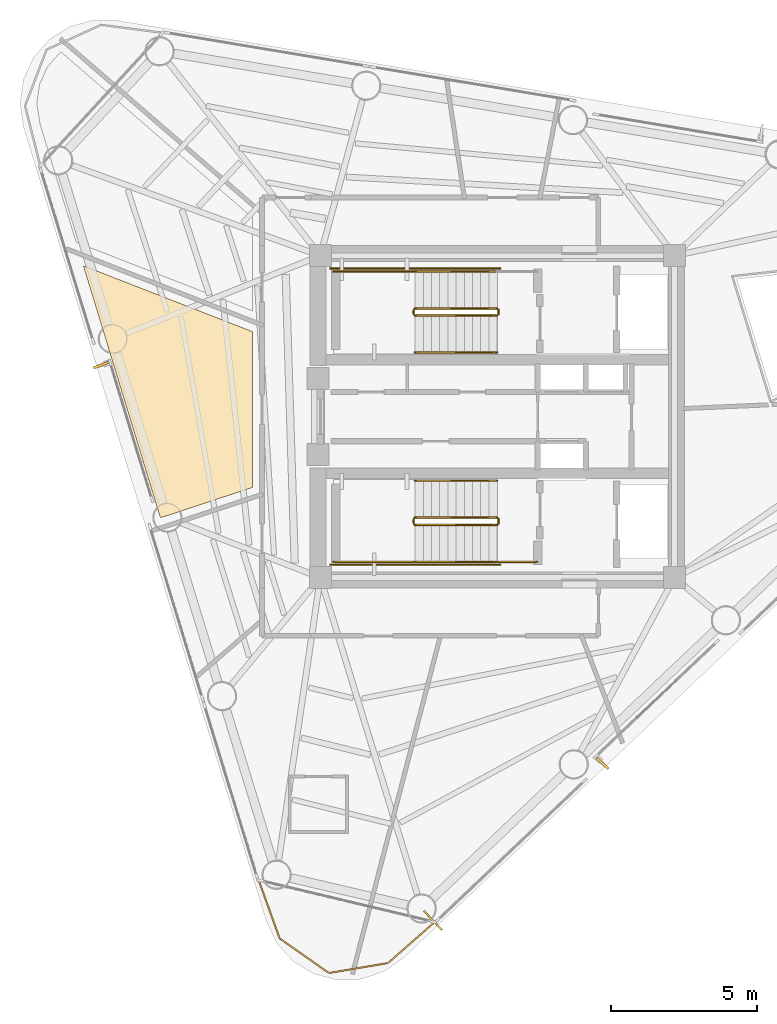
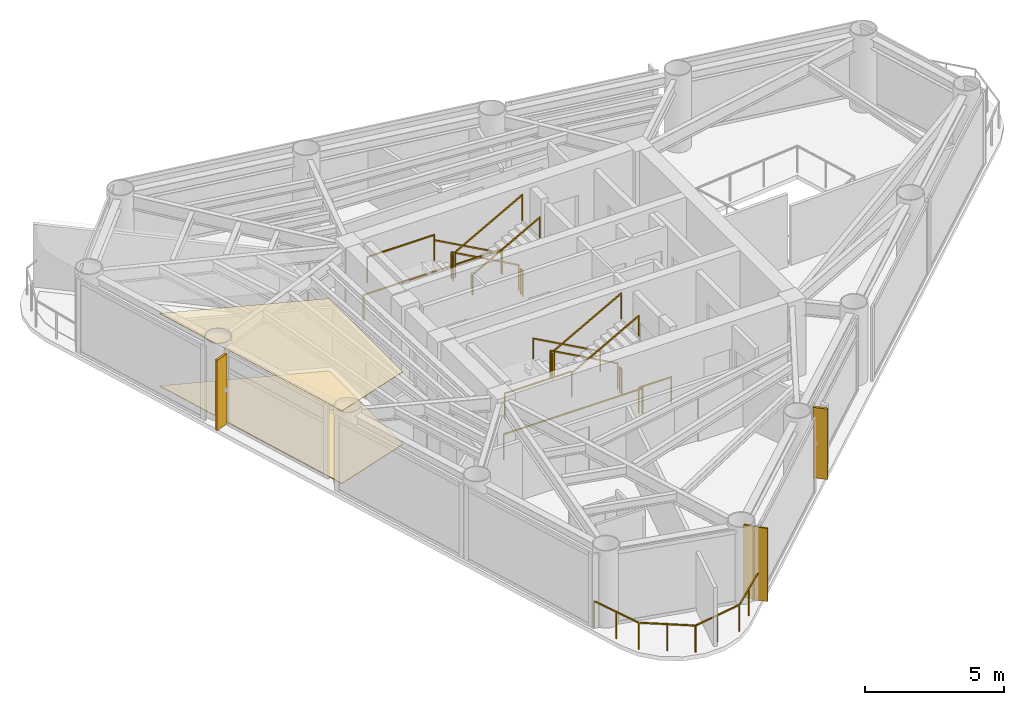
# One storey, part 7 of 8: 18 railings, 3 coverings, 2 shading devices.
"""IFC4 building model written with IfcOpenShell, lengths in metres."""

from ifc_helpers import new_model, si_unit, direction, frame, origin, origin_2d, place, context, subcontext, project, spatial, polyline, rectangle, outline, extrude, source, transform, mapped, material, layer, layer_set, material_profile, profile_set, type_object, element, save


model = new_model("IFC4")

# Units and contexts
model_context = context("Model", 3, precision=1e-05, world=origin(), true_north=direction((0.0, 1.0)))
body_context = subcontext(model_context, "Body", "Model", "MODEL_VIEW")
ifc_project = project(units=[si_unit("LENGTHUNIT", "METRE"), si_unit("AREAUNIT", "SQUARE_METRE"), si_unit("VOLUMEUNIT", "CUBIC_METRE"), si_unit("PLANEANGLEUNIT", "RADIAN"), si_unit("MASSUNIT", "GRAM", prefix="KILO")], contexts=[model_context])

# Site, building, storey
site_placement = place(None, origin())
site = spatial("IfcSite", under=ifc_project, at=site_placement, CompositionType="ELEMENT")
building_placement = place(site_placement, origin())
building = spatial("IfcBuilding", under=site, at=building_placement, Name="Yunling Apex Tower", CompositionType="ELEMENT")
storey_placement = place(building_placement, frame((0.0, 0.0, 238.85009765625)))
storey = spatial("IfcBuildingStorey", under=building, at=storey_placement, Name="L58", CompositionType="ELEMENT", Elevation=238.85009765625)

# Coverings
ifc_material_1 = material(Name="Acoustic mineral fibre ceiling")
ifc_layer_1 = layer(ifc_material_1, 0.02490234375)
ifc_layer_set_1 = layer_set([ifc_layer_1], Name="Acoustic mineral fibre ceiling")
covering_type_1 = type_object("IfcCoveringType", Name="CV-CLG-1", PredefinedType="CEILING", material=ifc_layer_set_1)
covering_1_placement = place(storey_placement, frame((0.0, 0.0, 3.19482421875)))
element("IfcCovering", 1, at=covering_1_placement, inside=storey, type_object=covering_type_1, Name="CV-CL-SP-L58-AMN9", PredefinedType="CEILING", context=body_context, shape_type="SweptSolid", body=[
    extrude(outline(polyline([(-11.51318359375, -3.456787109375), (-14.14697265625, 5.157470703125), (-8.3701171875, 2.90673828125), (-8.3701171875, -2.418212890625), (-11.51318359375, -3.456787109375)])), origin(), (0.0, 0.0, 1.0), 0.025146484375),
])
ifc_material_2 = material(Name="Polished granite stone", Category="masonry")
ifc_layer_2 = layer(ifc_material_2, 0.030029296875)
ifc_layer_set_2 = layer_set([ifc_layer_2], Name="Polished granite stone")
covering_type_2 = type_object("IfcCoveringType", Name="CV-FLR-1", PredefinedType="FLOORING", material=ifc_layer_set_2)
covering_2_placement = place(storey_placement, origin())
element("IfcCovering", 2, at=covering_2_placement, inside=storey, type_object=covering_type_2, Name="CV-FL-SP-L58-AMN9", PredefinedType="FLOORING", context=body_context, shape_type="SweptSolid", body=[
    extrude(outline(polyline([(-11.51318359375, -3.456787109375), (-14.14697265625, 5.157470703125), (-8.3701171875, 2.90673828125), (-8.3701171875, -2.418212890625), (-11.51318359375, -3.456787109375)])), origin(), (0.0, 0.0, 1.0), 0.02978515625),
])

# Railings
ifc_material_3 = material(Name="Bronze anodised aluminium", Category="aluminium")
railing_type_1 = type_object("IfcRailingType", Name="RL-BAL-1200", PredefinedType="BALUSTRADE", material=ifc_material_3)
railing_1_placement = place(storey_placement, frame((-2.147216796875, -17.2724609375, 0.0)))
element("IfcRailing", 3, at=railing_1_placement, inside=storey, type_object=railing_type_1, Name="RL-CRNSILL-L58-3", PredefinedType="BALUSTRADE", context=body_context, shape_type="SweptSolid", body=[
    extrude(rectangle(XDim=0.0439453125, YDim=0.0439453125, at=origin_2d()), origin(), (0.0, 0.0, 1.0), 1.199951171875),
    extrude(rectangle(XDim=0.0439453125, YDim=0.0439453125, at=origin_2d()), frame((-1.58740234375, -1.396728515625, 0.0)), (0.0, 0.0, 1.0), 1.199951171875),
    extrude(rectangle(XDim=0.050048828125, YDim=0.050048828125, at=origin_2d()), frame((-0.02880859375, -0.025390625, 1.1748046875), z_axis=(-0.750757036125, -0.660578437968, 0.0), x_axis=(0.660578437968, -0.750757036125, 0.0)), (0.0, 0.0, 1.0), 2.037841796875),
    extrude(rectangle(XDim=0.0439453125, YDim=0.0439453125, at=origin_2d()), frame((-0.793701171875, -0.6982421875, 0.0)), (0.0, 0.0, 1.0), 1.14599609375),
    extrude(rectangle(XDim=0.0439453125, YDim=0.0439453125, at=origin_2d()), frame((-3.609130859375, -1.738525390625, 0.0)), (0.0, 0.0, 1.0), 1.199951171875),
    extrude(rectangle(XDim=0.050048828125, YDim=0.050048828125, at=origin_2d()), frame((-1.625244140625, -1.403076171875, 1.1748046875), z_axis=(-0.986008296857, -0.166696246299, 0.0), x_axis=(0.166696246299, -0.986008296857, 0.0)), (0.0, 0.0, 1.0), 1.973876953125),
    extrude(rectangle(XDim=0.0439453125, YDim=0.0439453125, at=origin_2d()), frame((-2.59814453125, -1.567626953125, 0.0)), (0.0, 0.0, 1.0), 1.14599609375),
    extrude(rectangle(XDim=0.0439453125, YDim=0.0439453125, at=origin_2d()), frame((-5.29296875, -0.556884765625, 0.0)), (0.0, 0.0, 1.0), 1.199951171875),
    extrude(rectangle(XDim=0.050048828125, YDim=0.050048828125, at=origin_2d()), frame((-3.640625, -1.716552734375, 1.1748046875), z_axis=(-0.818556692462, 0.574425749096, 0.0), x_axis=(-0.574425749096, -0.818556692462, 0.0)), (0.0, 0.0, 1.0), 1.98046875),
    extrude(rectangle(XDim=0.0439453125, YDim=0.0439453125, at=origin_2d()), frame((-4.451171875, -1.147705078125, 0.0)), (0.0, 0.0, 1.0), 1.14599609375),
    extrude(rectangle(XDim=0.0439453125, YDim=0.0439453125, at=origin_2d()), frame((-6.0087890625, 1.431884765625, 0.0)), (0.0, 0.0, 1.0), 1.199951171875),
    extrude(rectangle(XDim=0.050048828125, YDim=0.050048828125, at=origin_2d()), frame((-5.305908203125, -0.520751953125, 1.1748046875), z_axis=(-0.338662205699, 0.940908024427, 0.0), x_axis=(-0.940908024427, -0.338662205699, 0.0)), (0.0, 0.0, 1.0), 2.037109375),
    extrude(rectangle(XDim=0.0439453125, YDim=0.0439453125, at=origin_2d()), frame((-5.65087890625, 0.4375, 0.0)), (0.0, 0.0, 1.0), 1.14599609375),
])
ifc_material_4 = material(Name="Steel Q355B", Category="steel")
railing_type_2 = type_object("IfcRailingType", Name="RL-GRD-1150", PredefinedType="GUARDRAIL", material=ifc_material_4)
railing_2_placement = place(storey_placement, frame((-0.010009765625, 3.699951171875, 0.154541015625)))
element("IfcRailing", 4, at=railing_2_placement, inside=storey, type_object=railing_type_2, Name="L58 ST-1 stair guard 1", PredefinedType="GUARDRAIL", context=body_context, shape_type="SweptSolid", body=[
    extrude(rectangle(XDim=0.0439453125, YDim=0.0439453125, at=origin_2d()), origin(), (0.0, 0.0, 1.0), 1.14990234375),
    extrude(rectangle(XDim=0.0439453125, YDim=0.0439453125, at=origin_2d()), frame((-2.800048828125, 0.0, 1.54541015625)), (0.0, 0.0, 1.0), 1.14990234375),
    extrude(rectangle(XDim=0.050048828125, YDim=0.050048828125, at=origin_2d()), frame((-0.033447265625, 0.0, 1.143310546875), z_axis=(-0.875504190374, 0.0, 0.483210526207), x_axis=(0.0, -1.0, 0.0)), (0.0, 0.0, 1.0), 3.12158203125),
])
railing_3_placement = place(storey_placement, frame((-2.860107421875, 3.64990234375, 1.699951171875)))
element("IfcRailing", 5, at=railing_3_placement, inside=storey, type_object=railing_type_2, Name="L58 ST-1 stair guard 2", PredefinedType="GUARDRAIL", context=body_context, shape_type="SweptSolid", body=[
    extrude(rectangle(XDim=0.0439453125, YDim=0.0439453125, at=origin_2d()), origin(), (0.0, 0.0, 1.0), 1.14990234375),
    extrude(rectangle(XDim=0.0439453125, YDim=0.0439453125, at=origin_2d()), frame((0.0, -0.14990234375, 0.0)), (0.0, 0.0, 1.0), 1.14990234375),
    extrude(rectangle(XDim=0.050048828125, YDim=0.050048828125, at=origin_2d()), frame((0.0, -0.038330078125, 1.125), z_axis=(0.0, -1.0, 0.0), x_axis=(1.0, 0.0, 0.0)), (0.0, 0.0, 1.0), 0.0732421875),
])
railing_4_placement = place(storey_placement, frame((-2.81005859375, 4.9599609375, 1.699951171875)))
element("IfcRailing", 6, at=railing_4_placement, inside=storey, type_object=railing_type_2, Name="L58 ST-1 stair guard 3", PredefinedType="GUARDRAIL", context=body_context, shape_type="SweptSolid", body=[
    extrude(rectangle(XDim=0.0439453125, YDim=0.0439453125, at=origin_2d()), origin(), (0.0, 0.0, 1.0), 1.14990234375),
    extrude(rectangle(XDim=0.0439453125, YDim=0.0439453125, at=origin_2d()), frame((-2.7900390625, 0.0, 0.0)), (0.0, 0.0, 1.0), 1.14990234375),
    extrude(rectangle(XDim=0.050048828125, YDim=0.050048828125, at=origin_2d()), frame((-0.038330078125, 0.0, 1.125), z_axis=(-1.0, 0.0, 0.0), x_axis=(0.0, -1.0, 0.0)), (0.0, 0.0, 1.0), 2.71337890625),
])
railing_5_placement = place(storey_placement, frame((-2.81005859375, 3.449951171875, 1.8544921875)))
element("IfcRailing", 7, at=railing_5_placement, inside=storey, type_object=railing_type_2, Name="L58 ST-1 stair guard 4", PredefinedType="GUARDRAIL", context=body_context, shape_type="SweptSolid", body=[
    extrude(rectangle(XDim=0.0439453125, YDim=0.0439453125, at=origin_2d()), origin(), (0.0, 0.0, 1.0), 1.14990234375),
    extrude(rectangle(XDim=0.0439453125, YDim=0.0439453125, at=origin_2d()), frame((2.800048828125, 0.0, 1.54541015625)), (0.0, 0.0, 1.0), 1.14990234375),
    extrude(rectangle(XDim=0.050048828125, YDim=0.050048828125, at=origin_2d()), frame((0.033447265625, 0.0, 1.143310546875), z_axis=(0.875504190374, 0.0, 0.483210526207), x_axis=(0.0, 1.0, 0.0)), (0.0, 0.0, 1.0), 3.12158203125),
])
railing_6_placement = place(storey_placement, frame((0.0400390625, 3.64990234375, 0.0)))
element("IfcRailing", 8, at=railing_6_placement, inside=storey, type_object=railing_type_2, Name="L58 ST-1 stair guard 5", PredefinedType="GUARDRAIL", context=body_context, shape_type="SweptSolid", body=[
    extrude(rectangle(XDim=0.0439453125, YDim=0.0439453125, at=origin_2d()), origin(), (0.0, 0.0, 1.0), 1.14990234375),
    extrude(rectangle(XDim=0.0439453125, YDim=0.0439453125, at=origin_2d()), frame((0.0, -0.14990234375, 0.0)), (0.0, 0.0, 1.0), 1.14990234375),
    extrude(rectangle(XDim=0.050048828125, YDim=0.050048828125, at=origin_2d()), frame((0.0, -0.038330078125, 1.125), z_axis=(0.0, -1.0, 0.0), x_axis=(1.0, 0.0, 0.0)), (0.0, 0.0, 1.0), 0.0732421875),
])
railing_7_placement = place(storey_placement, frame((0.090087890625, 5.06005859375, 0.0)))
element("IfcRailing", 9, at=railing_7_placement, inside=storey, type_object=railing_type_2, Name="L58 ST-1 stair guard 7", PredefinedType="GUARDRAIL", context=body_context, shape_type="SweptSolid", body=[
    extrude(rectangle(XDim=0.0439453125, YDim=0.0439453125, at=origin_2d()), origin(), (0.0, 0.0, 1.0), 1.14990234375),
    extrude(rectangle(XDim=0.0439453125, YDim=0.0439453125, at=origin_2d()), frame((-5.7900390625, 0.0, 0.0)), (0.0, 0.0, 1.0), 1.14990234375),
    extrude(rectangle(XDim=0.050048828125, YDim=0.050048828125, at=origin_2d()), frame((-0.038330078125, 0.0, 1.125), z_axis=(-1.0, 0.0, 0.0), x_axis=(0.0, -1.0, 0.0)), (0.0, 0.0, 1.0), 5.71337890625),
])
railing_8_placement = place(storey_placement, frame((-0.010009765625, -3.449951171875, 0.154541015625)))
element("IfcRailing", 10, at=railing_8_placement, inside=storey, type_object=railing_type_2, Name="L58 ST-2 stair guard 1", PredefinedType="GUARDRAIL", context=body_context, shape_type="SweptSolid", body=[
    extrude(rectangle(XDim=0.0439453125, YDim=0.0439453125, at=origin_2d()), origin(), (0.0, 0.0, 1.0), 1.14990234375),
    extrude(rectangle(XDim=0.0439453125, YDim=0.0439453125, at=origin_2d()), frame((-2.800048828125, 0.0, 1.54541015625)), (0.0, 0.0, 1.0), 1.14990234375),
    extrude(rectangle(XDim=0.050048828125, YDim=0.050048828125, at=origin_2d()), frame((-0.033447265625, 0.0, 1.143310546875), z_axis=(-0.875504190374, 0.0, 0.483210526207), x_axis=(0.0, -1.0, 0.0)), (0.0, 0.0, 1.0), 3.12158203125),
])
railing_9_placement = place(storey_placement, frame((-2.860107421875, -3.5, 1.699951171875)))
element("IfcRailing", 11, at=railing_9_placement, inside=storey, type_object=railing_type_2, Name="L58 ST-2 stair guard 2", PredefinedType="GUARDRAIL", context=body_context, shape_type="SweptSolid", body=[
    extrude(rectangle(XDim=0.0439453125, YDim=0.0439453125, at=origin_2d()), origin(), (0.0, 0.0, 1.0), 1.14990234375),
    extrude(rectangle(XDim=0.0439453125, YDim=0.0439453125, at=origin_2d()), frame((0.0, -0.14990234375, 0.0)), (0.0, 0.0, 1.0), 1.14990234375),
    extrude(rectangle(XDim=0.050048828125, YDim=0.050048828125, at=origin_2d()), frame((0.0, -0.038330078125, 1.125), z_axis=(0.0, -1.0, 0.0), x_axis=(1.0, 0.0, 0.0)), (0.0, 0.0, 1.0), 0.0732421875),
])
railing_10_placement = place(storey_placement, frame((-2.81005859375, -4.9599609375, 1.699951171875)))
element("IfcRailing", 12, at=railing_10_placement, inside=storey, type_object=railing_type_2, Name="L58 ST-2 stair guard 3", PredefinedType="GUARDRAIL", context=body_context, shape_type="SweptSolid", body=[
    extrude(rectangle(XDim=0.0439453125, YDim=0.0439453125, at=origin_2d()), origin(), (0.0, 0.0, 1.0), 1.14990234375),
    extrude(rectangle(XDim=0.0439453125, YDim=0.0439453125, at=origin_2d()), frame((-2.7900390625, 0.0, 0.0)), (0.0, 0.0, 1.0), 1.14990234375),
    extrude(rectangle(XDim=0.050048828125, YDim=0.050048828125, at=origin_2d()), frame((-0.038330078125, 0.0, 1.125), z_axis=(-1.0, 0.0, 0.0), x_axis=(0.0, -1.0, 0.0)), (0.0, 0.0, 1.0), 2.71337890625),
])
railing_11_placement = place(storey_placement, frame((-2.81005859375, -3.699951171875, 1.8544921875)))
element("IfcRailing", 13, at=railing_11_placement, inside=storey, type_object=railing_type_2, Name="L58 ST-2 stair guard 4", PredefinedType="GUARDRAIL", context=body_context, shape_type="SweptSolid", body=[
    extrude(rectangle(XDim=0.0439453125, YDim=0.0439453125, at=origin_2d()), origin(), (0.0, 0.0, 1.0), 1.14990234375),
    extrude(rectangle(XDim=0.0439453125, YDim=0.0439453125, at=origin_2d()), frame((2.800048828125, 0.0, 1.54541015625)), (0.0, 0.0, 1.0), 1.14990234375),
    extrude(rectangle(XDim=0.050048828125, YDim=0.050048828125, at=origin_2d()), frame((0.033447265625, 0.0, 1.143310546875), z_axis=(0.875504190374, 0.0, 0.483210526207), x_axis=(0.0, 1.0, 0.0)), (0.0, 0.0, 1.0), 3.12158203125),
])
railing_12_placement = place(storey_placement, frame((0.0400390625, -3.5, 0.0)))
element("IfcRailing", 14, at=railing_12_placement, inside=storey, type_object=railing_type_2, Name="L58 ST-2 stair guard 5", PredefinedType="GUARDRAIL", context=body_context, shape_type="SweptSolid", body=[
    extrude(rectangle(XDim=0.0439453125, YDim=0.0439453125, at=origin_2d()), origin(), (0.0, 0.0, 1.0), 1.14990234375),
    extrude(rectangle(XDim=0.0439453125, YDim=0.0439453125, at=origin_2d()), frame((0.0, -0.14990234375, 0.0)), (0.0, 0.0, 1.0), 1.14990234375),
    extrude(rectangle(XDim=0.050048828125, YDim=0.050048828125, at=origin_2d()), frame((0.0, -0.038330078125, 1.125), z_axis=(0.0, -1.0, 0.0), x_axis=(1.0, 0.0, 0.0)), (0.0, 0.0, 1.0), 0.0732421875),
])
railing_13_placement = place(storey_placement, frame((1.35009765625, -4.9599609375, 0.0)))
element("IfcRailing", 15, at=railing_13_placement, inside=storey, type_object=railing_type_2, Name="L58 ST-2 stair guard 6", PredefinedType="GUARDRAIL", context=body_context, shape_type="SweptSolid", body=[
    extrude(rectangle(XDim=0.0439453125, YDim=0.0439453125, at=origin_2d()), origin(), (0.0, 0.0, 1.0), 1.14990234375),
    extrude(rectangle(XDim=0.0439453125, YDim=0.0439453125, at=origin_2d()), frame((-1.360107421875, 0.0, 0.0)), (0.0, 0.0, 1.0), 1.14990234375),
    extrude(rectangle(XDim=0.050048828125, YDim=0.050048828125, at=origin_2d()), frame((-0.038330078125, 0.0, 1.125), z_axis=(-1.0, 0.0, 0.0), x_axis=(0.0, -1.0, 0.0)), (0.0, 0.0, 1.0), 1.283447265625),
])
railing_14_placement = place(storey_placement, frame((0.090087890625, -5.06005859375, 0.0)))
element("IfcRailing", 16, at=railing_14_placement, inside=storey, type_object=railing_type_2, Name="L58 ST-2 stair guard 7", PredefinedType="GUARDRAIL", context=body_context, shape_type="SweptSolid", body=[
    extrude(rectangle(XDim=0.0439453125, YDim=0.0439453125, at=origin_2d()), origin(), (0.0, 0.0, 1.0), 1.14990234375),
    extrude(rectangle(XDim=0.0439453125, YDim=0.0439453125, at=origin_2d()), frame((-5.7900390625, 0.0, 0.0)), (0.0, 0.0, 1.0), 1.14990234375),
    extrude(rectangle(XDim=0.050048828125, YDim=0.050048828125, at=origin_2d()), frame((-0.038330078125, 0.0, 1.125), z_axis=(-1.0, 0.0, 0.0), x_axis=(0.0, -1.0, 0.0)), (0.0, 0.0, 1.0), 5.71337890625),
])
ifc_material_5 = material(Name="Silver anodised aluminium", Category="aluminium")
railing_type_3 = type_object("IfcRailingType", Name="RL-HND-900", PredefinedType="HANDRAIL", material=ifc_material_5)
railing_15_placement = place(storey_placement, frame((-0.010009765625, 4.9599609375, 0.154541015625)))
element("IfcRailing", 17, at=railing_15_placement, inside=storey, type_object=railing_type_3, Name="L58 ST-1 stair handrail 1", PredefinedType="HANDRAIL", context=body_context, shape_type="SweptSolid", body=[
    extrude(rectangle(XDim=0.0439453125, YDim=0.0439453125, at=origin_2d()), origin(), (0.0, 0.0, 1.0), 0.919921875),
    extrude(rectangle(XDim=0.0439453125, YDim=0.0439453125, at=origin_2d()), frame((-2.800048828125, 0.0, 1.54541015625)), (0.0, 0.0, 1.0), 0.919921875),
    extrude(rectangle(XDim=0.050048828125, YDim=0.050048828125, at=origin_2d()), frame((-0.033447265625, 0.0, 0.913330078125), z_axis=(-0.875504190374, 0.0, 0.483210526207), x_axis=(0.0, -1.0, 0.0)), (0.0, 0.0, 1.0), 3.12158203125),
])
railing_16_placement = place(storey_placement, frame((-2.81005859375, 2.18994140625, 1.8544921875)))
element("IfcRailing", 18, at=railing_16_placement, inside=storey, type_object=railing_type_3, Name="L58 ST-1 stair handrail 2", PredefinedType="HANDRAIL", context=body_context, shape_type="SweptSolid", body=[
    extrude(rectangle(XDim=0.0439453125, YDim=0.0439453125, at=origin_2d()), origin(), (0.0, 0.0, 1.0), 0.919921875),
    extrude(rectangle(XDim=0.0439453125, YDim=0.0439453125, at=origin_2d()), frame((2.800048828125, 0.0, 1.54541015625)), (0.0, 0.0, 1.0), 0.919921875),
    extrude(rectangle(XDim=0.050048828125, YDim=0.050048828125, at=origin_2d()), frame((0.033447265625, 0.0, 0.913330078125), z_axis=(0.875504190374, 0.0, 0.483210526207), x_axis=(0.0, 1.0, 0.0)), (0.0, 0.0, 1.0), 3.12158203125),
])
railing_17_placement = place(storey_placement, frame((-0.010009765625, -2.18994140625, 0.154541015625)))
element("IfcRailing", 19, at=railing_17_placement, inside=storey, type_object=railing_type_3, Name="L58 ST-2 stair handrail 1", PredefinedType="HANDRAIL", context=body_context, shape_type="SweptSolid", body=[
    extrude(rectangle(XDim=0.0439453125, YDim=0.0439453125, at=origin_2d()), origin(), (0.0, 0.0, 1.0), 0.919921875),
    extrude(rectangle(XDim=0.0439453125, YDim=0.0439453125, at=origin_2d()), frame((-2.800048828125, 0.0, 1.54541015625)), (0.0, 0.0, 1.0), 0.919921875),
    extrude(rectangle(XDim=0.050048828125, YDim=0.050048828125, at=origin_2d()), frame((-0.033447265625, 0.0, 0.913330078125), z_axis=(-0.875504190374, 0.0, 0.483210526207), x_axis=(0.0, -1.0, 0.0)), (0.0, 0.0, 1.0), 3.12158203125),
])
railing_18_placement = place(storey_placement, frame((-2.81005859375, -4.9599609375, 1.8544921875)))
element("IfcRailing", 20, at=railing_18_placement, inside=storey, type_object=railing_type_3, Name="L58 ST-2 stair handrail 2", PredefinedType="HANDRAIL", context=body_context, shape_type="SweptSolid", body=[
    extrude(rectangle(XDim=0.0439453125, YDim=0.0439453125, at=origin_2d()), origin(), (0.0, 0.0, 1.0), 0.919921875),
    extrude(rectangle(XDim=0.0439453125, YDim=0.0439453125, at=origin_2d()), frame((2.800048828125, 0.0, 1.54541015625)), (0.0, 0.0, 1.0), 0.919921875),
    extrude(rectangle(XDim=0.050048828125, YDim=0.050048828125, at=origin_2d()), frame((0.033447265625, 0.0, 0.913330078125), z_axis=(0.875504190374, 0.0, 0.483210526207), x_axis=(0.0, 1.0, 0.0)), (0.0, 0.0, 1.0), 3.12158203125),
])

# Covering
ifc_layer_3 = layer(ifc_material_3, 0.0400390625)
ifc_layer_set_3 = layer_set([ifc_layer_3], Name="Bronze anodised aluminium")
covering_type_3 = type_object("IfcCoveringType", Name="CV-CLD-1", PredefinedType="CLADDING", material=ifc_layer_set_3)
shared_shape_1 = source(origin(), body_context, "Body", "SweptSolid", [
    extrude(rectangle(XDim=0.06005859375, YDim=0.89990234375, at=origin_2d()), origin(), (0.0, 0.0, 1.0), 3.219970703125),
])
covering_3_placement = place(storey_placement, frame((-2.2021484375, -17.21435546875, 0.0), z_axis=(0.0, 0.0, 1.0), x_axis=(0.725854756355, 0.687848001144, 0.0)))
element("IfcCovering", 21, at=covering_3_placement, inside=storey, type_object=covering_type_3, Name="CV-CLD-L58", PredefinedType="CLADDING", context=body_context, shape_type="MappedRepresentation", body=[
    mapped(shared_shape_1, transform((0.0, 0.0, 0.0), scale=1.0)),
])

# Shading devices
ifc_material_profile = material_profile(ifc_material_3, rectangle(XDim=0.0849609375, YDim=0.550048828125, at=origin_2d()))
ifc_profile_set = profile_set([ifc_material_profile], Name="Bronze anodised aluminium")
shading_device_type = type_object("IfcShadingDeviceType", Name="FN-BRZ-3", PredefinedType="USERDEFINED", material=ifc_profile_set)
shared_shape_2 = source(origin(), body_context, "Body", "SweptSolid", [
    extrude(rectangle(XDim=0.0849609375, YDim=0.550048828125, at=origin_2d()), origin(), (0.0, 0.0, 1.0), 3.10009765625),
])
for number, where, z_axis, x_axis, name in (
    (22, (3.591552734375, -11.841064453125, 0.059814453125), (0.0, 0.0, 1.0), (0.679313233894, 0.733848438205, 0.0), "CW-L58-F1-B2-FIN-01"),
    (23, (-13.5419921875, 1.759521484375, 0.059814453125), (0.0, 0.0, 1.0), (0.354291037998, -0.935135209686, 0.0), "CW-L58-F3-B2-FIN-01"),
):
    element("IfcShadingDevice", number, at=place(storey_placement, frame(where, z_axis=z_axis, x_axis=x_axis)), inside=storey, type_object=shading_device_type, Name=name, ObjectType="FIN", PredefinedType="USERDEFINED", context=body_context, shape_type="MappedRepresentation", body=[
        mapped(shared_shape_2, transform((0.0, 0.0, 0.0), scale=1.0)),
    ])

save(model, "model.ifc")
